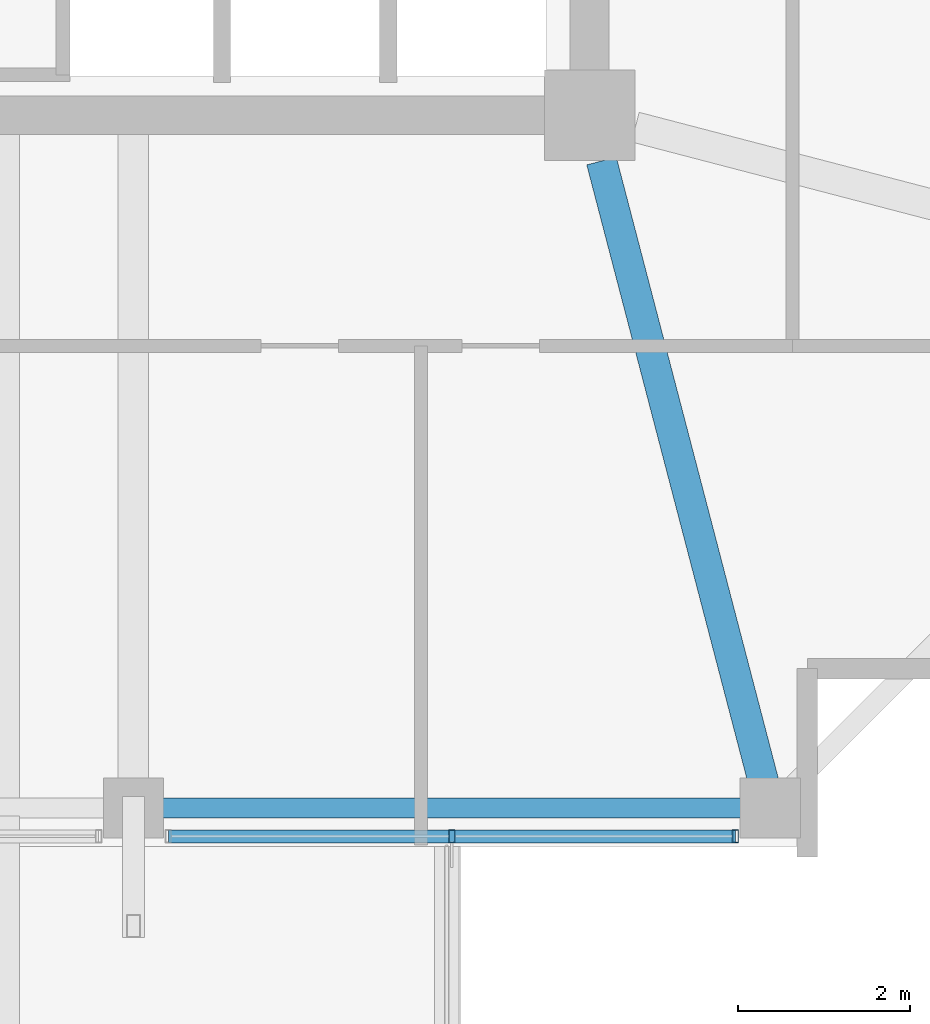
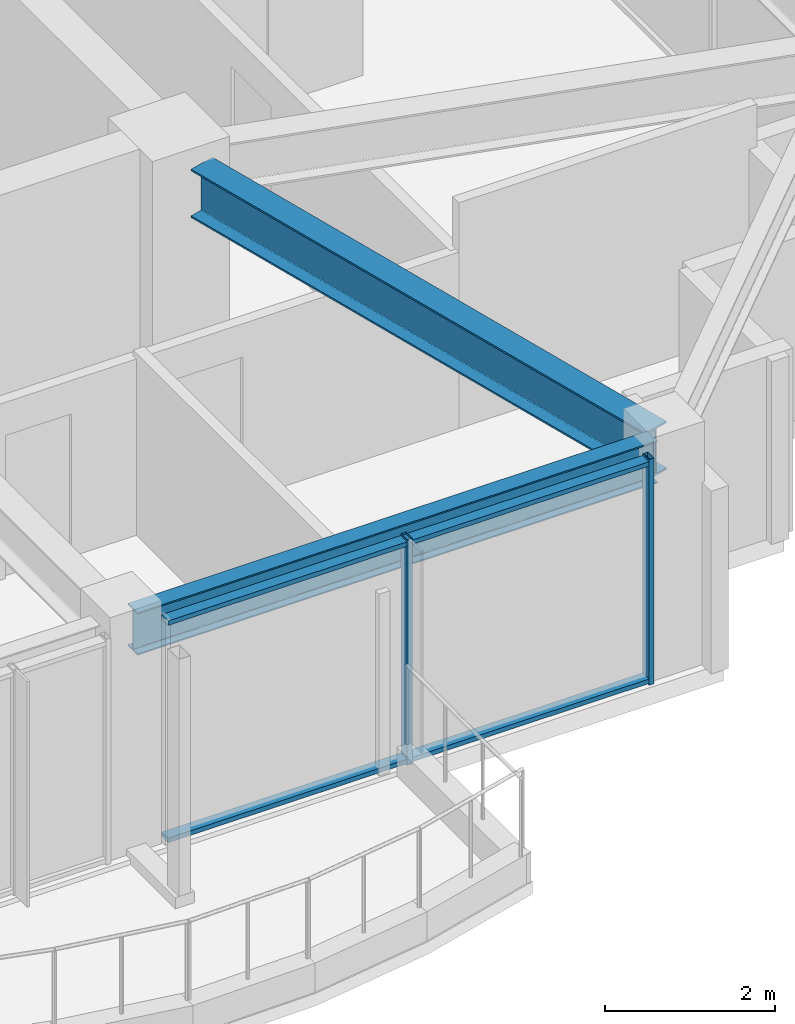
# One storey, part 6 of 31: 4 members, 2 beams, 1 element without a shape of its own.
"""IFC4 building model written with IfcOpenShell, lengths in metres."""

from ifc_helpers import new_model, si_unit, direction, frame, origin, origin_2d, place, context, subcontext, project, spatial, hollow_rectangle, i_section, extrude, material, material_profile, profile_set, type_object, element, aggregate, save


model = new_model("IFC4")

# Units and contexts
model_context = context("Model", 3, precision=1e-05, world=origin(), true_north=direction((0.0, 1.0)))
body_context = subcontext(model_context, "Body", "Model", "MODEL_VIEW")
ifc_project = project(units=[si_unit("LENGTHUNIT", "METRE"), si_unit("AREAUNIT", "SQUARE_METRE"), si_unit("VOLUMEUNIT", "CUBIC_METRE"), si_unit("PLANEANGLEUNIT", "RADIAN"), si_unit("MASSUNIT", "GRAM", prefix="KILO")], contexts=[model_context])

# Site, building, storey
site_placement = place(None, origin())
site = spatial("IfcSite", under=ifc_project, at=site_placement, CompositionType="ELEMENT")
building_placement = place(site_placement, origin())
building = spatial("IfcBuilding", under=site, at=building_placement, Name="Kolvaren Belvedere", CompositionType="ELEMENT")
storey_placement = place(building_placement, frame((0.0, 0.0, 247.89990234375)))
storey = spatial("IfcBuildingStorey", under=building, at=storey_placement, Name="L72", CompositionType="ELEMENT", Elevation=247.89990234375)

# Beams
ifc_material_1 = material(Name="Structural steel ASTM A992 Grade 50", Category="steel")
ifc_material_profile_1 = material_profile(ifc_material_1, i_section(OverallWidth=0.35498046875, OverallDepth=0.696044921875, WebThickness=0.015380859375, FlangeThickness=0.02490234375, FilletRadius=0.02197265625, at=origin_2d()), Name="W27X146")
ifc_profile_set_1 = profile_set([ifc_material_profile_1], Name="Structural steel ASTM A992 Grade 50")
beam_type_1 = type_object("IfcBeamType", Name="BM-GIRD-W27X146", PredefinedType="BEAM", material=ifc_profile_set_1)
beam_1_placement = place(storey_placement, frame((10.038818359375, -10.43212890625, 2.902099609375), z_axis=(0.25241668651, -0.967618631679, 0.0), x_axis=(0.967618631679, 0.25241668651, 0.0)))
element("IfcBeam", 1, at=beam_1_placement, inside=storey, type_object=beam_type_1, Name="L72 Corner Core-to-Perimeter Girder CC2-S4", PredefinedType="BEAM", context=body_context, shape_type="SweptSolid", body=[
    extrude(i_section(OverallWidth=0.35498046875, OverallDepth=0.696044921875, WebThickness=0.015380859375, FlangeThickness=0.02490234375, FilletRadius=0.02197265625, at=origin_2d()), origin(), (0.0, 0.0, 1.0), 7.62939453125),
])
ifc_material_2 = material(Name="Structural steel ASTM A992 Grade 50", Category="steel")
ifc_material_profile_2 = material_profile(ifc_material_2, i_section(OverallWidth=0.22900390625, OverallDepth=0.612060546875, WebThickness=0.011962890625, FlangeThickness=0.01953125, FilletRadius=0.01806640625, at=origin_2d()), Name="W24X84")
ifc_profile_set_2 = profile_set([ifc_material_profile_2], Name="Structural steel ASTM A992 Grade 50")
beam_type_2 = type_object("IfcBeamType", Name="BM-SPAN-W24X84", PredefinedType="SPANDREL", material=ifc_profile_set_2)
beam_2_placement = place(storey_placement, frame((4.757568359375, -17.949951171875, 2.944091796875), z_axis=(1.0, 0.0, 0.0), x_axis=(0.0, 1.0, 0.0)))
element("IfcBeam", 2, at=beam_2_placement, inside=storey, type_object=beam_type_2, Name="L72 Perimeter Spandrel S3-S4", PredefinedType="SPANDREL", context=body_context, shape_type="SweptSolid", body=[
    extrude(i_section(OverallWidth=0.22900390625, OverallDepth=0.612060546875, WebThickness=0.011962890625, FlangeThickness=0.01953125, FilletRadius=0.01806640625, at=origin_2d()), origin(), (0.0, 0.0, 1.0), 7.0849609375),
])

# Curtain wall, members
ifc_material_3 = material(Name="Anodised pale-metal aluminium AA 6063-T6", Category="aluminium")
curtain_wall_type = type_object("IfcCurtainWallType", Name="CW-Z5-HIGH", PredefinedType="NOTDEFINED", material=ifc_material_3)
curtain_wall_placement = place(storey_placement, origin())
curtain_wall = element("IfcCurtainWall", 3, at=curtain_wall_placement, inside=storey, type_object=curtain_wall_type, Name="L72 Unitised Curtain Wall FCW-L72-S1-B1", PredefinedType="NOTDEFINED")
ifc_material_4 = material(Name="Anodised pale-metal aluminium AA 6063-T6", Category="aluminium")
ifc_material_profile_3 = material_profile(ifc_material_4, hollow_rectangle(XDim=0.070068359375, YDim=0.14990234375, WallThickness=0.004150390625, at=origin_2d()), Name="ALU-MUL-150X70")
ifc_profile_set_3 = profile_set([ifc_material_profile_3], Name="Anodised pale-metal aluminium AA 6063-T6")
member_type_1 = type_object("IfcMemberType", Name="CW-MUL-150", PredefinedType="MULLION", material=ifc_profile_set_3)
member_1_placement = place(storey_placement, frame((11.594970703125, -18.280029296875, 0.0), z_axis=(0.0, 0.0, 1.0), x_axis=(1.0, 0.0, 0.0)))
member_1 = element("IfcMember", 4, at=member_1_placement, type_object=member_type_1, Name="FCW-L72-S1-B1 Unitised Mullion 1", PredefinedType="MULLION", context=body_context, shape_type="SweptSolid", body=[
    extrude(hollow_rectangle(XDim=0.070068359375, YDim=0.14990234375, WallThickness=0.004150390625, at=origin_2d()), origin(), (0.0, 0.0, 1.0), 3.25),
])
member_2_placement = place(storey_placement, frame((8.300048828125, -18.280029296875, 0.0), z_axis=(0.0, 0.0, 1.0), x_axis=(1.0, 0.0, 0.0)))
member_2 = element("IfcMember", 5, at=member_2_placement, type_object=member_type_1, Name="FCW-L72-S1-B1 Unitised Mullion 2", PredefinedType="MULLION", context=body_context, shape_type="SweptSolid", body=[
    extrude(hollow_rectangle(XDim=0.070068359375, YDim=0.14990234375, WallThickness=0.004150390625, at=origin_2d()), origin(), (0.0, 0.0, 1.0), 3.25),
])
ifc_material_5 = material(Name="Anodised pale-metal aluminium AA 6063-T6", Category="aluminium")
ifc_material_profile_4 = material_profile(ifc_material_5, hollow_rectangle(XDim=0.06494140625, YDim=0.14990234375, WallThickness=0.00390625, at=origin_2d()), Name="ALU-TRN-150X65")
ifc_profile_set_4 = profile_set([ifc_material_profile_4], Name="Anodised pale-metal aluminium AA 6063-T6")
member_type_2 = type_object("IfcMemberType", Name="CW-TRN-150", PredefinedType="USERDEFINED", material=ifc_profile_set_4)
member_3_placement = place(storey_placement, frame((11.594970703125, -18.280029296875, 0.06005859375), z_axis=(-1.0, 0.0, 0.0), x_axis=(0.0, 0.0, 1.0)))
member_3 = element("IfcMember", 6, at=member_3_placement, type_object=member_type_2, Name="FCW-L72-S1-B1 Sill Transom", ObjectType="TRANSOM", PredefinedType="USERDEFINED", context=body_context, shape_type="SweptSolid", body=[
    extrude(hollow_rectangle(XDim=0.06494140625, YDim=0.14990234375, WallThickness=0.00390625, at=origin_2d()), origin(), (0.0, 0.0, 1.0), 6.590087890625),
])
member_4_placement = place(storey_placement, frame((11.594970703125, -18.280029296875, 3.190185546875), z_axis=(-1.0, 0.0, 0.0), x_axis=(0.0, 0.0, 1.0)))
member_4 = element("IfcMember", 7, at=member_4_placement, type_object=member_type_2, Name="FCW-L72-S1-B1 Head Transom", ObjectType="TRANSOM", PredefinedType="USERDEFINED", context=body_context, shape_type="SweptSolid", body=[
    extrude(hollow_rectangle(XDim=0.06494140625, YDim=0.14990234375, WallThickness=0.00390625, at=origin_2d()), origin(), (0.0, 0.0, 1.0), 6.590087890625),
])
aggregate(curtain_wall, [member_1, member_2, member_3, member_4])

save(model, "model.ifc")
